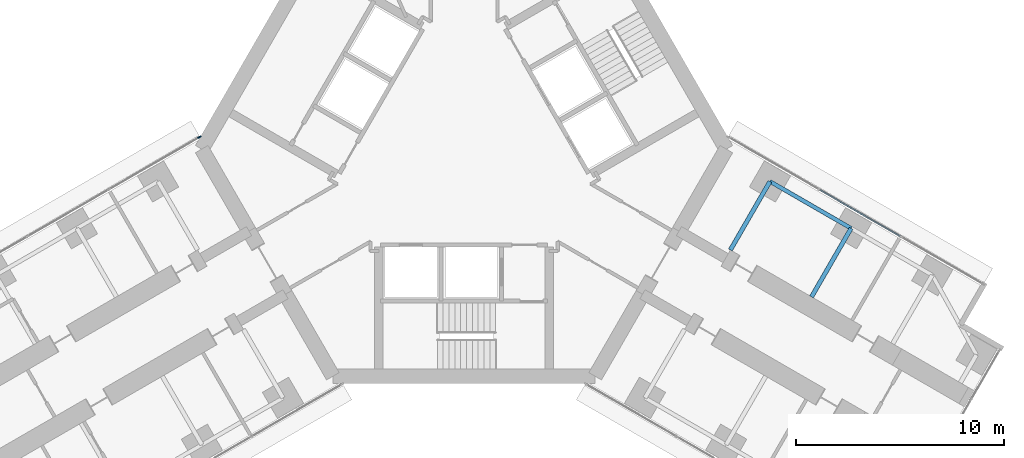
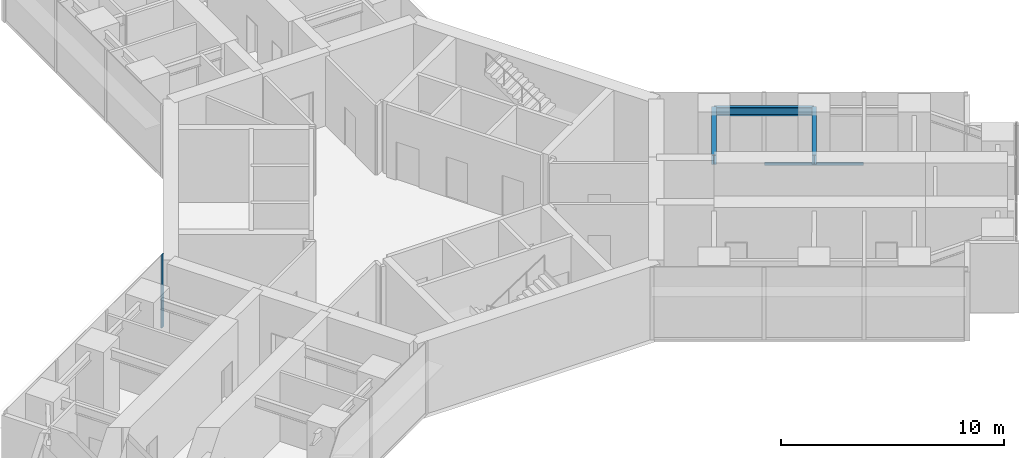
# One storey, part 10 of 24: 3 beams, 2 members, 2 elements without a shape of their own.
"""IFC4 building model written with IfcOpenShell, lengths in metres."""

from ifc_helpers import new_model, si_unit, direction, frame, origin, origin_2d, place, context, subcontext, project, spatial, rectangle, i_section, extrude, material, material_profile, profile_set, type_object, element, aggregate, save


model = new_model("IFC4")

# Units and contexts
model_context = context("Model", 3, precision=1e-05, world=origin(), true_north=direction((0.0, 1.0)))
body_context = subcontext(model_context, "Body", "Model", "MODEL_VIEW")
ifc_project = project(units=[si_unit("LENGTHUNIT", "METRE"), si_unit("AREAUNIT", "SQUARE_METRE"), si_unit("VOLUMEUNIT", "CUBIC_METRE"), si_unit("PLANEANGLEUNIT", "RADIAN"), si_unit("MASSUNIT", "GRAM", prefix="KILO")], contexts=[model_context])

# Site, building, storey
site_placement = place(None, origin())
site = spatial("IfcSite", under=ifc_project, at=site_placement, CompositionType="ELEMENT")
building_placement = place(site_placement, origin())
building = spatial("IfcBuilding", under=site, at=building_placement, Name="Upepo Twin Towers", CompositionType="ELEMENT")
storey_placement = place(building_placement, frame((0.0, 0.0, 48.5)))
storey = spatial("IfcBuildingStorey", under=building, at=storey_placement, Name="L11", CompositionType="ELEMENT", Elevation=48.5)

# Beams
ifc_material_1 = material(Name="Steel S355", Category="steel")
ifc_material_profile_1 = material_profile(ifc_material_1, i_section(OverallWidth=0.1904296875, OverallDepth=0.45703125, WebThickness=0.009033203125, FlangeThickness=0.014404296875, FilletRadius=0.01025390625, at=origin_2d()), Name="UB 457x191x74")
ifc_profile_set_1 = profile_set([ifc_material_profile_1], Name="Steel S355")
beam_type_1 = type_object("IfcBeamType", Name="Beam UB 457x191x74", PredefinedType="BEAM", material=ifc_profile_set_1)
beam_1_placement = place(storey_placement, frame((73.19140625, -19.553955078125, 3.571533203125), z_axis=(0.866017533419, -0.500013631625, 0.0), x_axis=(0.500013631625, 0.866017533419, 0.0)))
element("IfcBeam", 1, at=beam_1_placement, inside=storey, type_object=beam_type_1, Name="T2 edge beam CL 13.5-18.0", PredefinedType="BEAM", context=body_context, shape_type="SweptSolid", body=[
    extrude(i_section(OverallWidth=0.1904296875, OverallDepth=0.45703125, WebThickness=0.009033203125, FlangeThickness=0.014404296875, FilletRadius=0.01025390625, at=origin_2d()), origin(), (0.0, 0.0, 1.0), 4.499755859375),
])
ifc_material_2 = material(Name="Steel S355", Category="steel")
ifc_material_profile_2 = material_profile(ifc_material_2, i_section(OverallWidth=0.209228515625, OverallDepth=0.533203125, WebThickness=0.010009765625, FlangeThickness=0.015625, FilletRadius=0.0126953125, at=origin_2d()), Name="UB 533x210x92")
ifc_profile_set_2 = profile_set([ifc_material_profile_2], Name="Steel S355")
beam_type_2 = type_object("IfcBeamType", Name="Beam UB 533x210x92", PredefinedType="BEAM", material=ifc_profile_set_2)
beam_2_placement = place(storey_placement, frame((73.19140625, -19.553955078125, 3.533447265625), z_axis=(-0.500043160704, -0.866000483506, 0.0), x_axis=(0.866000483506, -0.500043160704, 0.0)))
element("IfcBeam", 2, at=beam_2_placement, inside=storey, type_object=beam_type_2, Name="T2 girder CL at 13.5", PredefinedType="BEAM", context=body_context, shape_type="SweptSolid", body=[
    extrude(i_section(OverallWidth=0.209228515625, OverallDepth=0.533203125, WebThickness=0.010009765625, FlangeThickness=0.015625, FilletRadius=0.0126953125, at=origin_2d()), origin(), (0.0, 0.0, 1.0), 3.800048828125),
])
beam_3_placement = place(storey_placement, frame((77.08837890625, -21.803955078125, 3.533447265625), z_axis=(-0.499994975061, -0.866028304915, 0.0), x_axis=(0.866028304915, -0.499994975061, 0.0)))
element("IfcBeam", 3, at=beam_3_placement, inside=storey, type_object=beam_type_2, Name="T2 girder CL at 18.0", PredefinedType="BEAM", context=body_context, shape_type="SweptSolid", body=[
    extrude(i_section(OverallWidth=0.209228515625, OverallDepth=0.533203125, WebThickness=0.010009765625, FlangeThickness=0.015625, FilletRadius=0.0126953125, at=origin_2d()), origin(), (0.0, 0.0, 1.0), 3.7998046875),
])

# Curtain wall, member
ifc_material_3 = material(Name="Aluminium and fritted glass", Category="aluminium")
curtain_wall_type = type_object("IfcCurtainWallType", Name="Tower curtain wall TW1, fritted glass", PredefinedType="NOTDEFINED", material=ifc_material_3)
curtain_wall_1_placement = place(storey_placement, origin())
curtain_wall_1 = element("IfcCurtainWall", 4, at=curtain_wall_1_placement, inside=storey, type_object=curtain_wall_type, Name="T2 L11 wing B flank R curtain wall", PredefinedType="NOTDEFINED")
ifc_material_4 = material(Name="Aluminium mullion", Category="aluminium")
ifc_material_profile_3 = material_profile(ifc_material_4, rectangle(XDim=0.06494140625, YDim=0.179931640625, at=origin_2d()), Name="MULLION 65x180")
ifc_profile_set_3 = profile_set([ifc_material_profile_3], Name="Aluminium mullion")
member_type_1 = type_object("IfcMemberType", Name="Mullion 65x180 TW1", PredefinedType="MULLION", material=ifc_profile_set_3)
member_1_placement = place(storey_placement, frame((45.79150390625, -17.427490234375, 0.0), z_axis=(0.0, 0.0, 1.0), x_axis=(-0.500000024426, 0.866025389682, 0.0)))
member_1 = element("IfcMember", 5, at=member_1_placement, type_object=member_type_1, Name="T2 L11 wing B flank R curtain wall mullion 4", PredefinedType="MULLION", context=body_context, shape_type="SweptSolid", body=[
    extrude(rectangle(XDim=0.06494140625, YDim=0.179931640625, at=origin_2d()), origin(), (0.0, 0.0, 1.0), 4.0),
])
aggregate(curtain_wall_1, [member_1])

curtain_wall_2_placement = place(storey_placement, origin())
curtain_wall_2 = element("IfcCurtainWall", 6, at=curtain_wall_2_placement, inside=storey, type_object=curtain_wall_type, Name="T2 L11 wing C flank L curtain wall", PredefinedType="NOTDEFINED")
ifc_material_5 = material(Name="Aluminium transom", Category="aluminium")
ifc_material_profile_4 = material_profile(ifc_material_5, rectangle(XDim=0.06494140625, YDim=0.14990234375, at=origin_2d()), Name="TRANSOM 65x150")
ifc_profile_set_4 = profile_set([ifc_material_profile_4], Name="Aluminium transom")
member_type_2 = type_object("IfcMemberType", Name="Transom 65x150 TW1", PredefinedType="USERDEFINED", material=ifc_profile_set_4)
member_2_placement = place(storey_placement, frame((75.593017578125, -19.958984375, 0.074951171875), z_axis=(0.866022410713, -0.500005184116, 0.0), x_axis=(0.500005184116, 0.866022410713, 0.0)))
member_2 = element("IfcMember", 7, at=member_2_placement, type_object=member_type_2, Name="T2 L11 wing C flank L curtain wall transom 2", ObjectType="TRANSOM", PredefinedType="USERDEFINED", context=body_context, shape_type="SweptSolid", body=[
    extrude(rectangle(XDim=0.06494140625, YDim=0.14990234375, at=origin_2d()), origin(), (0.0, 0.0, 1.0), 4.43505859375),
])
aggregate(curtain_wall_2, [member_2])

save(model, "model.ifc")
